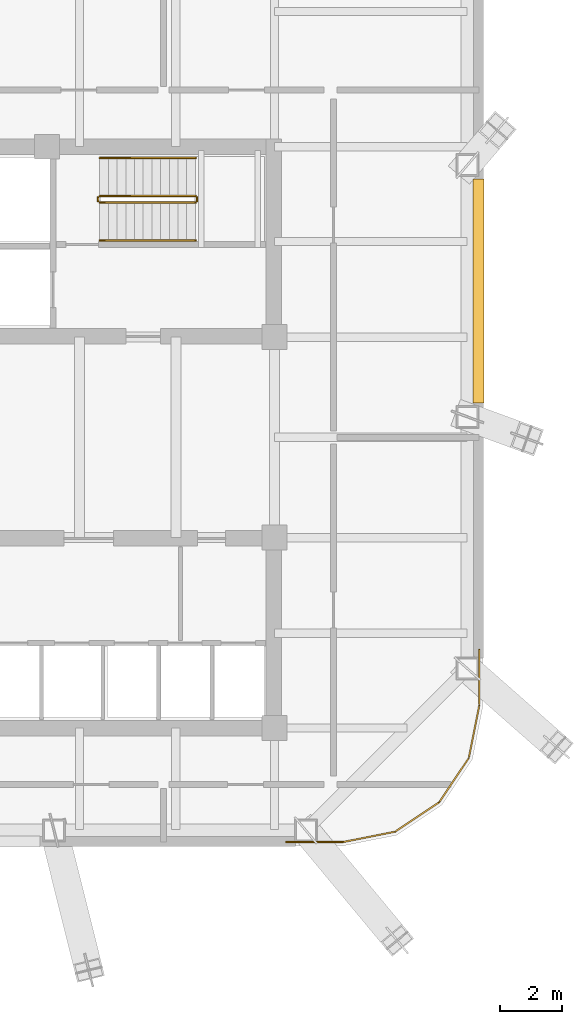
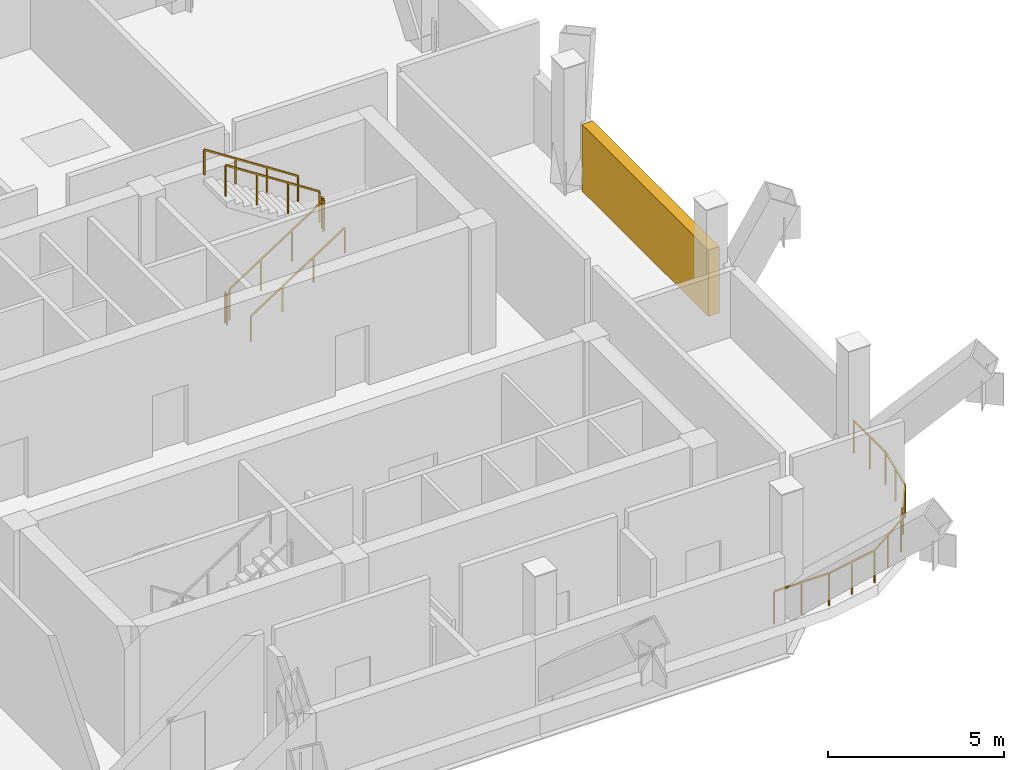
# One storey, part 7 of 8: 8 railings, 1 shading device.
"""IFC4 building model written with IfcOpenShell, lengths in metres."""

from ifc_helpers import new_model, si_unit, direction, frame, origin, origin_2d, place, context, subcontext, project, spatial, rectangle, extrude, material, type_object, element, save


model = new_model("IFC4")

# Units and contexts
model_context = context("Model", 3, precision=1e-05, world=origin(), true_north=direction((0.0, 1.0)))
body_context = subcontext(model_context, "Body", "Model", "MODEL_VIEW")
ifc_project = project(units=[si_unit("LENGTHUNIT", "METRE"), si_unit("AREAUNIT", "SQUARE_METRE"), si_unit("VOLUMEUNIT", "CUBIC_METRE"), si_unit("PLANEANGLEUNIT", "RADIAN"), si_unit("MASSUNIT", "GRAM", prefix="KILO")], contexts=[model_context])

# Site, building, storey
site_placement = place(None, origin())
site = spatial("IfcSite", under=ifc_project, at=site_placement, CompositionType="ELEMENT")
building_placement = place(site_placement, origin())
building = spatial("IfcBuilding", under=site, at=building_placement, Name="Qhalaya Broadcast Tower", CompositionType="ELEMENT")
storey_placement = place(building_placement, frame((0.0, 0.0, 151.800048828125)))
storey = spatial("IfcBuildingStorey", under=building, at=storey_placement, Name="L44", CompositionType="ELEMENT", Elevation=151.800048828125)

# Shading device
ifc_material_1 = material(Name="Fired Architectural Terracotta", Category="masonry")
shading_device_type = type_object("IfcShadingDeviceType", Name="Plant & Turbine-Slot Acoustic Louvre Screen LVS-01", PredefinedType="USERDEFINED", material=ifc_material_1)
shading_device_placement = place(storey_placement, frame((15.93994140625, 5.31005859375, 0.0), z_axis=(0.0, 0.0, 1.0), x_axis=(0.0, -1.0, 0.0)))
element("IfcShadingDevice", 1, at=shading_device_placement, inside=storey, type_object=shading_device_type, Name="L44 Plant Acoustic Louvre Screen E", ObjectType="LOUVRE", PredefinedType="USERDEFINED", context=body_context, shape_type="SweptSolid", body=[
    extrude(rectangle(XDim=7.199951171875, YDim=0.360107421875, at=origin_2d()), origin(), (0.0, 0.0, 1.0), 2.31005859375),
])

# Railings
ifc_material_2 = material(Name="Powder-Coated Galvanised Steel", Category="steel")
railing_type_1 = type_object("IfcRailingType", Name="Stair Wall Handrail 900", PredefinedType="HANDRAIL", material=ifc_material_2)
railing_1_placement = place(storey_placement, frame((3.75, 6.929931640625, 0.18115234375)))
element("IfcRailing", 2, at=railing_1_placement, inside=storey, type_object=railing_type_1, Name="L44 ST-1 Stair Handrail 1", PredefinedType="HANDRAIL", context=body_context, shape_type="SweptSolid", body=[
    extrude(rectangle(XDim=0.048095703125, YDim=0.048095703125, at=origin_2d()), frame((0.0, 0.0, 0.8759765625), z_axis=(0.8394576718, 0.0, 0.543425079708), x_axis=(0.0, 1.0, 0.0)), (0.0, 0.0, 1.0), 3.669189453125),
    extrude(rectangle(XDim=0.0419921875, YDim=0.0419921875, at=origin_2d()), origin(), (0.0, 0.0, 1.0), 0.849853515625),
    extrude(rectangle(XDim=0.0419921875, YDim=0.0419921875, at=origin_2d()), frame((1.026611328125, 0.0, 0.66455078125)), (0.0, 0.0, 1.0), 0.849853515625),
    extrude(rectangle(XDim=0.0419921875, YDim=0.0419921875, at=origin_2d()), frame((2.053466796875, 0.0, 1.329345703125)), (0.0, 0.0, 1.0), 0.849853515625),
    extrude(rectangle(XDim=0.0419921875, YDim=0.0419921875, at=origin_2d()), frame((3.080078125, 0.0, 1.993896484375)), (0.0, 0.0, 1.0), 0.849853515625),
])
railing_2_placement = place(storey_placement, frame((6.830078125, 9.590087890625, 2.356201171875)))
element("IfcRailing", 3, at=railing_2_placement, inside=storey, type_object=railing_type_1, Name="L44 ST-1 Stair Handrail 2", PredefinedType="HANDRAIL", context=body_context, shape_type="SweptSolid", body=[
    extrude(rectangle(XDim=0.048095703125, YDim=0.048095703125, at=origin_2d()), frame((0.0, 0.0, 0.8759765625), z_axis=(-0.839488025565, 0.0, 0.543378187759), x_axis=(0.0, -1.0, 0.0)), (0.0, 0.0, 1.0), 3.6689453125),
    extrude(rectangle(XDim=0.0419921875, YDim=0.0419921875, at=origin_2d()), origin(), (0.0, 0.0, 1.0), 0.849853515625),
    extrude(rectangle(XDim=0.0419921875, YDim=0.0419921875, at=origin_2d()), frame((-1.026611328125, 0.0, 0.66455078125)), (0.0, 0.0, 1.0), 0.849853515625),
    extrude(rectangle(XDim=0.0419921875, YDim=0.0419921875, at=origin_2d()), frame((-2.053466796875, 0.0, 1.3291015625)), (0.0, 0.0, 1.0), 0.849853515625),
    extrude(rectangle(XDim=0.0419921875, YDim=0.0419921875, at=origin_2d()), frame((-3.080078125, 0.0, 1.99365234375)), (0.0, 0.0, 1.0), 0.849853515625),
])
railing_type_2 = type_object("IfcRailingType", Name="Stair Well & Landing Guardrail 1100", PredefinedType="GUARDRAIL", material=ifc_material_2)
railing_3_placement = place(storey_placement, frame((3.75, 8.14990234375, 0.18115234375)))
element("IfcRailing", 4, at=railing_3_placement, inside=storey, type_object=railing_type_2, Name="L44 ST-1 Stair Guard 1", PredefinedType="GUARDRAIL", context=body_context, shape_type="SweptSolid", body=[
    extrude(rectangle(XDim=0.048095703125, YDim=0.048095703125, at=origin_2d()), frame((0.0, 0.0, 1.076171875), z_axis=(0.8394576718, 0.0, 0.543425079708), x_axis=(0.0, 1.0, 0.0)), (0.0, 0.0, 1.0), 3.669189453125),
    extrude(rectangle(XDim=0.0419921875, YDim=0.0419921875, at=origin_2d()), origin(), (0.0, 0.0, 1.0), 1.050048828125),
    extrude(rectangle(XDim=0.0419921875, YDim=0.0419921875, at=origin_2d()), frame((1.026611328125, 0.0, 0.66455078125)), (0.0, 0.0, 1.0), 1.050048828125),
    extrude(rectangle(XDim=0.0419921875, YDim=0.0419921875, at=origin_2d()), frame((2.053466796875, 0.0, 1.329345703125)), (0.0, 0.0, 1.0), 1.050048828125),
    extrude(rectangle(XDim=0.0419921875, YDim=0.0419921875, at=origin_2d()), frame((3.080078125, 0.0, 1.993896484375)), (0.0, 0.0, 1.0), 1.050048828125),
])
railing_4_placement = place(storey_placement, frame((6.8798828125, 8.199951171875, 2.175048828125)))
element("IfcRailing", 5, at=railing_4_placement, inside=storey, type_object=railing_type_2, Name="L44 ST-1 Stair Guard 2", PredefinedType="GUARDRAIL", context=body_context, shape_type="SweptSolid", body=[
    extrude(rectangle(XDim=0.048095703125, YDim=0.048095703125, at=origin_2d()), frame((0.0, 0.0, 1.076171875), z_axis=(0.0, 1.0, 0.0), x_axis=(-1.0, 0.0, 0.0)), (0.0, 0.0, 1.0), 0.1201171875),
    extrude(rectangle(XDim=0.0419921875, YDim=0.0419921875, at=origin_2d()), origin(), (0.0, 0.0, 1.0), 1.050048828125),
    extrude(rectangle(XDim=0.0419921875, YDim=0.0419921875, at=origin_2d()), frame((0.0, 0.1201171875, 0.0)), (0.0, 0.0, 1.0), 1.050048828125),
])
railing_5_placement = place(storey_placement, frame((6.830078125, 8.3701171875, 2.356201171875)))
element("IfcRailing", 6, at=railing_5_placement, inside=storey, type_object=railing_type_2, Name="L44 ST-1 Stair Guard 3", PredefinedType="GUARDRAIL", context=body_context, shape_type="SweptSolid", body=[
    extrude(rectangle(XDim=0.048095703125, YDim=0.048095703125, at=origin_2d()), frame((0.0, 0.0, 1.076171875), z_axis=(-0.839488025565, 0.0, 0.543378187759), x_axis=(0.0, -1.0, 0.0)), (0.0, 0.0, 1.0), 3.6689453125),
    extrude(rectangle(XDim=0.0419921875, YDim=0.0419921875, at=origin_2d()), origin(), (0.0, 0.0, 1.0), 1.050048828125),
    extrude(rectangle(XDim=0.0419921875, YDim=0.0419921875, at=origin_2d()), frame((-1.026611328125, 0.0, 0.66455078125)), (0.0, 0.0, 1.0), 1.050048828125),
    extrude(rectangle(XDim=0.0419921875, YDim=0.0419921875, at=origin_2d()), frame((-2.053466796875, 0.0, 1.3291015625)), (0.0, 0.0, 1.0), 1.050048828125),
    extrude(rectangle(XDim=0.0419921875, YDim=0.0419921875, at=origin_2d()), frame((-3.080078125, 0.0, 1.99365234375)), (0.0, 0.0, 1.0), 1.050048828125),
])
railing_6_placement = place(storey_placement, frame((3.699951171875, 8.199951171875, 0.0)))
element("IfcRailing", 7, at=railing_6_placement, inside=storey, type_object=railing_type_2, Name="L44 ST-1 Stair Guard 4", PredefinedType="GUARDRAIL", context=body_context, shape_type="SweptSolid", body=[
    extrude(rectangle(XDim=0.048095703125, YDim=0.048095703125, at=origin_2d()), frame((0.0, 0.0, 1.076171875), z_axis=(0.0, 1.0, 0.0), x_axis=(-1.0, 0.0, 0.0)), (0.0, 0.0, 1.0), 0.1201171875),
    extrude(rectangle(XDim=0.0419921875, YDim=0.0419921875, at=origin_2d()), origin(), (0.0, 0.0, 1.0), 1.050048828125),
    extrude(rectangle(XDim=0.0419921875, YDim=0.0419921875, at=origin_2d()), frame((0.0, 0.1201171875, 0.0)), (0.0, 0.0, 1.0), 1.050048828125),
])
railing_type_3 = type_object("IfcRailingType", Name="Terrace, Sky-Pool & Lookout Glass Balustrade 1150", PredefinedType="BALUSTRADE", material=ifc_material_2)
railing_7_placement = place(storey_placement, frame((11.568115234375, -12.419921875, 0.0)))
element("IfcRailing", 8, at=railing_7_placement, inside=storey, type_object=railing_type_3, Name="L44 Rounded Corner Perimeter Guard 01", PredefinedType="BALUSTRADE", context=body_context, shape_type="SweptSolid", body=[
    extrude(rectangle(XDim=0.048095703125, YDim=0.048095703125, at=origin_2d()), frame((0.0, 0.0, 1.1259765625), z_axis=(-1.0, 0.0, 0.0), x_axis=(0.0, -1.0, 0.0)), (0.0, 0.0, 1.0), 1.80615234375),
    extrude(rectangle(XDim=0.0419921875, YDim=0.0419921875, at=origin_2d()), origin(), (0.0, 0.0, 1.0), 1.099853515625),
    extrude(rectangle(XDim=0.0419921875, YDim=0.0419921875, at=origin_2d()), frame((-0.903076171875, 0.0, 0.0)), (0.0, 0.0, 1.0), 1.099853515625),
    extrude(rectangle(XDim=0.0419921875, YDim=0.0419921875, at=origin_2d()), frame((-1.80615234375, 0.0, 0.0)), (0.0, 0.0, 1.0), 1.099853515625),
])
railing_8_placement = place(storey_placement, frame((15.9599609375, -6.221923828125, 0.0)))
element("IfcRailing", 9, at=railing_8_placement, inside=storey, type_object=railing_type_3, Name="L44 Rounded Corner Perimeter Guard 05", PredefinedType="BALUSTRADE", context=body_context, shape_type="SweptSolid", body=[
    extrude(rectangle(XDim=0.048095703125, YDim=0.048095703125, at=origin_2d()), frame((0.0, 0.0, 1.1259765625), z_axis=(0.0, -1.0, 0.0), x_axis=(1.0, 0.0, 0.0)), (0.0, 0.0, 1.0), 1.777587890625),
    extrude(rectangle(XDim=0.048095703125, YDim=0.048095703125, at=origin_2d()), frame((-0.005615234375, -1.834716796875, 1.1259765625), z_axis=(-0.195024175165, -0.980798435511, 0.0), x_axis=(0.980798435511, -0.195024175165, 0.0)), (0.0, 0.0, 1.0), 1.662353515625),
    extrude(rectangle(XDim=0.048095703125, YDim=0.048095703125, at=origin_2d()), frame((-0.3515625, -3.517333984375, 1.1259765625), z_axis=(-0.555590476887, -0.831456085426, 0.0), x_axis=(0.831456085426, -0.555590476887, 0.0)), (0.0, 0.0, 1.0), 1.650390625),
    extrude(rectangle(XDim=0.048095703125, YDim=0.048095703125, at=origin_2d()), frame((-1.308349609375, -4.9296875, 1.1259765625), z_axis=(-0.831456085426, -0.555590476887, 0.0), x_axis=(0.555590476887, -0.831456085426, 0.0)), (0.0, 0.0, 1.0), 1.650390625),
    extrude(rectangle(XDim=0.048095703125, YDim=0.048095703125, at=origin_2d()), frame((-2.73291015625, -5.8681640625, 1.1259765625), z_axis=(-0.980803832953, -0.194997028864, 0.0), x_axis=(0.194997028864, -0.980803832953, 0.0)), (0.0, 0.0, 1.0), 1.69140625),
    extrude(rectangle(XDim=0.0419921875, YDim=0.0419921875, at=origin_2d()), origin(), (0.0, 0.0, 1.0), 1.099853515625),
    extrude(rectangle(XDim=0.0419921875, YDim=0.0419921875, at=origin_2d()), frame((0.0, -0.9033203125, 0.0)), (0.0, 0.0, 1.0), 1.099853515625),
    extrude(rectangle(XDim=0.0419921875, YDim=0.0419921875, at=origin_2d()), frame((0.0, -1.806396484375, 0.0)), (0.0, 0.0, 1.0), 1.099853515625),
    extrude(rectangle(XDim=0.0419921875, YDim=0.0419921875, at=origin_2d()), frame((-0.167724609375, -2.64990234375, 0.0)), (0.0, 0.0, 1.0), 1.099853515625),
    extrude(rectangle(XDim=0.0419921875, YDim=0.0419921875, at=origin_2d()), frame((-0.33544921875, -3.493408203125, 0.0)), (0.0, 0.0, 1.0), 1.099853515625),
    extrude(rectangle(XDim=0.0419921875, YDim=0.0419921875, at=origin_2d()), frame((-0.81005859375, -4.20361328125, 0.0)), (0.0, 0.0, 1.0), 1.099853515625),
    extrude(rectangle(XDim=0.0419921875, YDim=0.0419921875, at=origin_2d()), frame((-1.284423828125, -4.91357421875, 0.0)), (0.0, 0.0, 1.0), 1.099853515625),
    extrude(rectangle(XDim=0.0419921875, YDim=0.0419921875, at=origin_2d()), frame((-1.99462890625, -5.38818359375, 0.0)), (0.0, 0.0, 1.0), 1.099853515625),
    extrude(rectangle(XDim=0.0419921875, YDim=0.0419921875, at=origin_2d()), frame((-2.70458984375, -5.862548828125, 0.0)), (0.0, 0.0, 1.0), 1.099853515625),
    extrude(rectangle(XDim=0.0419921875, YDim=0.0419921875, at=origin_2d()), frame((-3.54833984375, -6.0302734375, 0.0)), (0.0, 0.0, 1.0), 1.099853515625),
    extrude(rectangle(XDim=0.0419921875, YDim=0.0419921875, at=origin_2d()), frame((-4.391845703125, -6.197998046875, 0.0)), (0.0, 0.0, 1.0), 1.099853515625),
])

save(model, "model.ifc")
